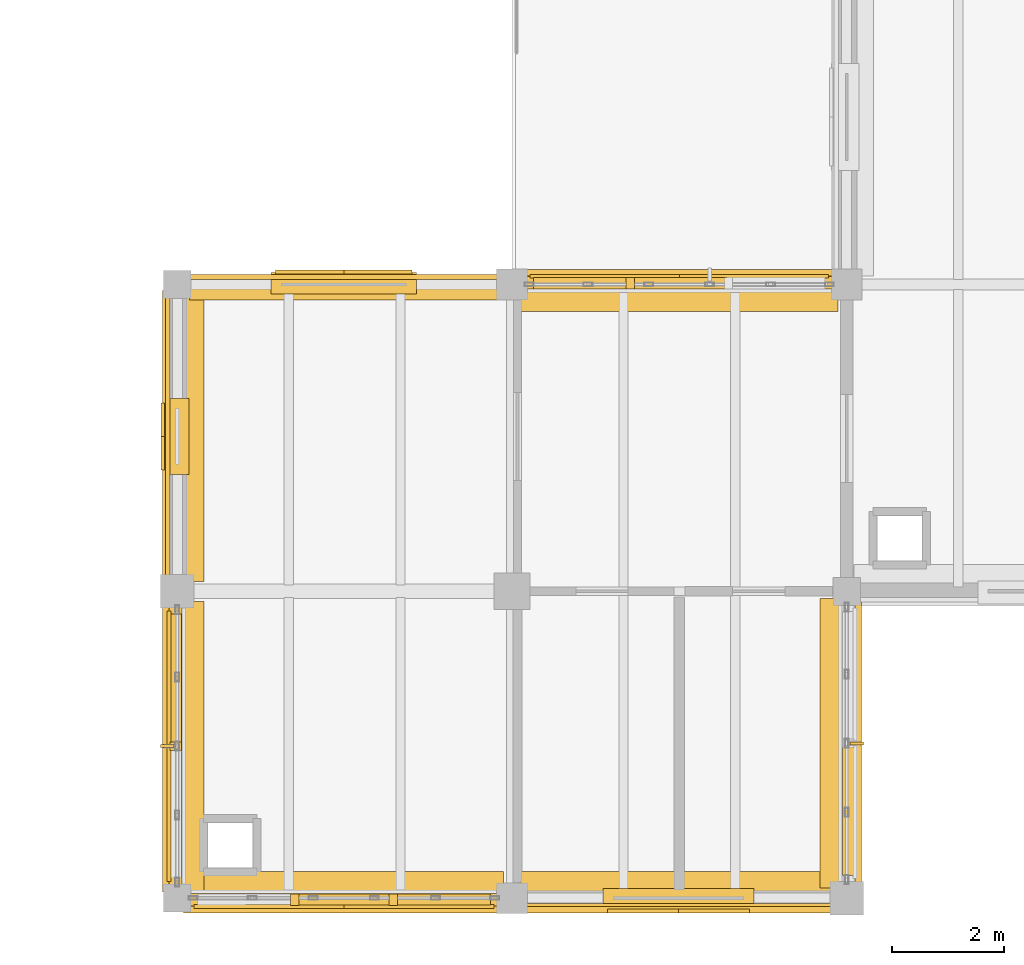
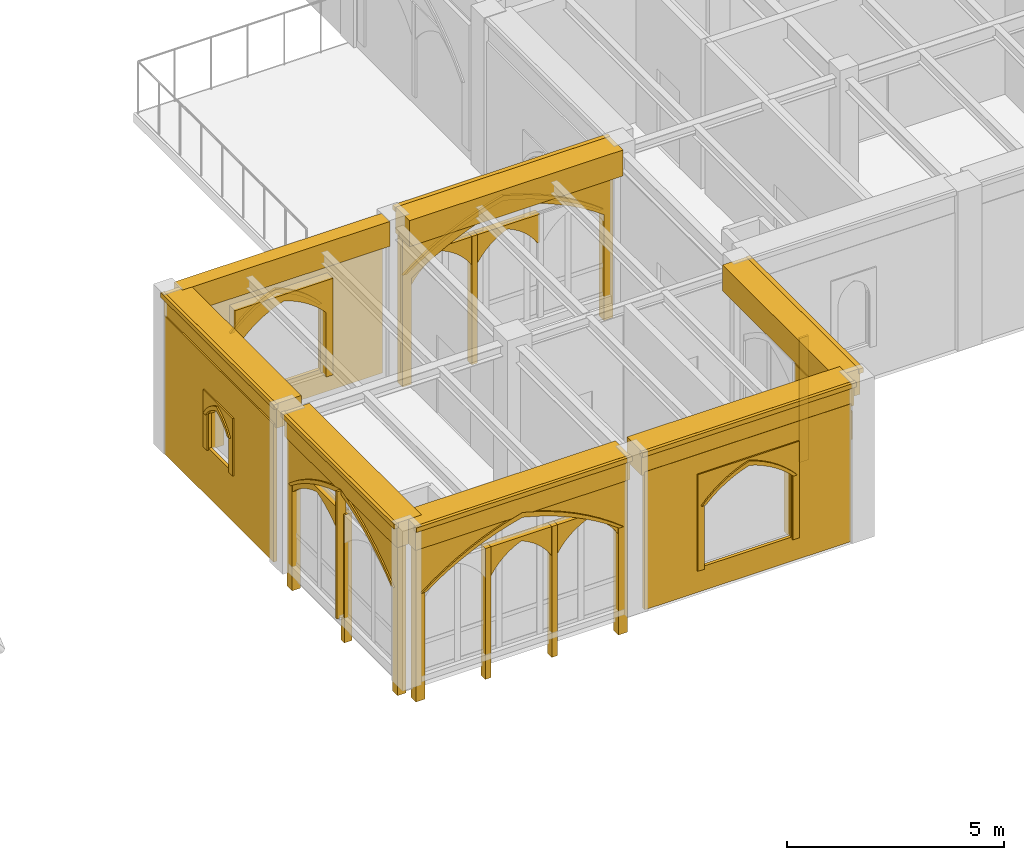
# One storey, part 110 of 127: 38 coverings, 2 shading devices.
"""IFC4 building model written with IfcOpenShell, lengths in metres."""

import ifcopenshell
import ifcopenshell.guid

model = None  # the IFC model being written
_history = None  # IfcOwnerHistory: only IFC2X3 demands one
_inside = {}  # id of a spatial element -> (the spatial element, [elements in it])
_under = {}  # id of a project, library or spatial element -> (it, [spatial elements below it])
_declared = {}  # id of a project -> (the project, [libraries it declares])
_typed = {}  # id of a type object -> (the type object, [elements of that type])
_made_of = {}  # id of a material, layer set ... -> (it, [elements and type objects made of it])


def new_model(schema):
    """Start an empty IFC model of exactly this schema.

    Asked for "IFC4X3", IfcOpenShell would pick the latest addendum, in which some entities
    have other attributes; the version numbers below select the first issue.
    IFC2X3 requires an IfcOwnerHistory on every rooted entity: one is made here for all.
    """
    global model, _history
    if schema == "IFC4X3":
        model = ifcopenshell.file(schema_version=(4, 3, 0, 0))
    else:
        model = ifcopenshell.file(schema=schema)
    _inside.clear()
    _under.clear()
    _declared.clear()
    _typed.clear()
    _made_of.clear()
    _history = None
    if model.schema == "IFC2X3":
        org = make("IfcOrganization", Name="unknown")
        user = make(
            "IfcPersonAndOrganization",
            ThePerson=make("IfcPerson", FamilyName="unknown"),
            TheOrganization=org,
        )
        app = make(
            "IfcApplication",
            ApplicationDeveloper=org,
            Version="unknown",
            ApplicationFullName="unknown",
            ApplicationIdentifier="unknown",
        )
        _history = make(
            "IfcOwnerHistory",
            OwningUser=user,
            OwningApplication=app,
            ChangeAction="ADDED",
            CreationDate=0,
        )
    return model


def make(cls, **values):
    """One entity of the class cls with the attributes given. An attribute that is None is left unset."""
    return model.create_entity(
        cls, **{name: value for name, value in values.items() if value is not None}
    )


def rooted(cls, **values):
    """An entity with a GlobalId (a new one), such as an element, a storey or a relation."""
    return make(cls, GlobalId=ifcopenshell.guid.new(), OwnerHistory=_history, **values)


def si_unit(unit_type, name, prefix=None):
    """IfcSIUnit, for example si_unit("LENGTHUNIT", "METRE", prefix="MILLI")."""
    return make("IfcSIUnit", UnitType=unit_type, Prefix=prefix, Name=name)


def assignment(units):
    """IfcUnitAssignment: the units of a project."""
    return None if units is None else make("IfcUnitAssignment", Units=units)


def point(xyz):
    """IfcCartesianPoint."""
    return None if xyz is None else make("IfcCartesianPoint", Coordinates=xyz)


def direction(xyz):
    """IfcDirection."""
    return None if xyz is None else make("IfcDirection", DirectionRatios=xyz)


def frame(location, z_axis=None, x_axis=None):
    """IfcAxis2Placement3D, a coordinate frame: its origin and axes. An axis left out is left unset."""
    return make(
        "IfcAxis2Placement3D",
        Location=point(location),
        Axis=direction(z_axis),
        RefDirection=direction(x_axis),
    )


def frame_2d(location, x_axis=None):
    """IfcAxis2Placement2D, a coordinate frame in the plane: its origin and x axis."""
    return make(
        "IfcAxis2Placement2D", Location=point(location), RefDirection=direction(x_axis)
    )


def origin():
    """The frame at (0, 0, 0) with its axes left unset."""
    return frame((0.0, 0.0, 0.0))


def origin_2d():
    """The frame at (0, 0) in the plane with its x axis left unset."""
    return frame_2d((0.0, 0.0))


def place(relative_to, where):
    """IfcLocalPlacement: puts the frame where relative to a parent placement (None: the world)."""
    return make(
        "IfcLocalPlacement", PlacementRelTo=relative_to, RelativePlacement=where
    )


def context(
    kind, dimensions, precision=None, world=None, true_north=None, identifier=None
):
    """IfcGeometricRepresentationContext, for example the 3D "Model" context."""
    return make(
        "IfcGeometricRepresentationContext",
        ContextIdentifier=identifier,
        ContextType=kind,
        CoordinateSpaceDimension=dimensions,
        Precision=precision,
        WorldCoordinateSystem=world,
        TrueNorth=true_north,
    )


def subcontext(parent, identifier, kind, view, scale=None):
    """IfcGeometricRepresentationSubContext, for example "Body" below "Model"."""
    return make(
        "IfcGeometricRepresentationSubContext",
        ContextIdentifier=identifier,
        ContextType=kind,
        ParentContext=parent,
        TargetScale=scale,
        TargetView=view,
    )


def project(units=None, contexts=None):
    """IfcProject with its units and contexts."""
    return rooted(
        "IfcProject",
        Name="project",
        RepresentationContexts=contexts,
        UnitsInContext=assignment(units),
    )


def spatial(cls, under=None, at=None, **own):
    """A site, building, storey or space (cls), placed at a placement, below another one or the project."""
    s = rooted(cls, ObjectPlacement=at, **own)
    if under is not None:
        _under.setdefault(under.id(), (under, []))[1].append(s)
    return s


def polyline(points):
    """IfcPolyline through the points."""
    return make("IfcPolyline", Points=[point(p) for p in points])


def profile(cls, at=None, kind="AREA", **sizes):
    """A parametric profile (cls). Its sizes go by their IFC names, for example OverallWidth=200.0."""
    return make(cls, ProfileType=kind, Position=at, **sizes)


def rectangle(**sizes):
    """IfcRectangleProfileDef."""
    return profile("IfcRectangleProfileDef", **sizes)


def outline(outer, holes=None, kind="AREA"):
    """IfcArbitraryClosedProfileDef: a profile drawn as a closed curve; with holes, ...WithVoids."""
    if holes is None:
        return make("IfcArbitraryClosedProfileDef", ProfileType=kind, OuterCurve=outer)
    return make(
        "IfcArbitraryProfileDefWithVoids",
        ProfileType=kind,
        OuterCurve=outer,
        InnerCurves=holes,
    )


def extrude(swept, where, along, depth):
    """IfcExtrudedAreaSolid: the profile swept, set in the frame where, extruded along a direction by depth."""
    return make(
        "IfcExtrudedAreaSolid",
        SweptArea=swept,
        Position=where,
        ExtrudedDirection=direction(along),
        Depth=depth,
    )


def shape(context_of_items, identifier, shape_type, items):
    """IfcShapeRepresentation: the items that make up one representation, for example the "Body"."""
    return make(
        "IfcShapeRepresentation",
        ContextOfItems=context_of_items,
        RepresentationIdentifier=identifier,
        RepresentationType=shape_type,
        Items=items,
    )


def material(Name=None, Category=None):
    """IfcMaterial."""
    return make("IfcMaterial", Name=Name, Category=Category)


def made_of(thing, what):
    """Note that an element or type object is made of a material, layer set ...; save() writes the relation."""
    if what is not None:
        _made_of.setdefault(what.id(), (what, []))[1].append(thing)
    return thing


def type_object(cls, material=None, **own):
    """A type object (cls), such as IfcWallType, which elements share."""
    return made_of(rooted(cls, **own), material)


def element(
    cls,
    number,
    at=None,
    inside=None,
    cuts=None,
    type_object=None,
    material=None,
    context=None,
    identifier="Body",
    shape_type=None,
    held_by="IfcProductDefinitionShape",
    body=None,
    shapes=None,
    **own,
):
    """One element of the class cls, such as IfcWall. Its Tag is "e" and its number.

    at: its placement. inside: the storey or other place that contains it. cuts: it is an
    opening in that element (IfcRelVoidsElement). A single representation is given by context,
    identifier, shape_type and body (its items); several are given by shapes. held_by: the class
    of the entity that holds the representations. save() writes the other relations.
    """
    e = rooted(cls, Tag="e%d" % number, ObjectPlacement=at, **own)
    if body is not None:
        shapes = [shape(context, identifier, shape_type, body)]
    if shapes is not None:
        e.Representation = make(held_by, Representations=shapes)
    if inside is not None:
        _inside.setdefault(inside.id(), (inside, []))[1].append(e)
    if cuts is not None:
        rooted(
            "IfcRelVoidsElement", RelatingBuildingElement=cuts, RelatedOpeningElement=e
        )
    if type_object is not None:
        _typed.setdefault(type_object.id(), (type_object, []))[1].append(e)
    return made_of(e, material)


def aggregate(whole, parts):
    """IfcRelAggregates: a whole, such as a stair, and the parts it consists of."""
    return rooted("IfcRelAggregates", RelatingObject=whole, RelatedObjects=parts)


def save(model, path):
    """Write the relations noted so far, then the file.

    IfcRelAggregates (storeys below a building ...), IfcRelContainedInSpatialStructure (elements
    in a storey), IfcRelDefinesByType, IfcRelAssociatesMaterial and IfcRelDeclares: one each for
    every whole, place, type object, material and project.
    """
    for whole, parts in _under.values():
        aggregate(whole, parts)
    for where, things in _inside.values():
        rooted(
            "IfcRelContainedInSpatialStructure",
            RelatedElements=things,
            RelatingStructure=where,
        )
    for kind, things in _typed.values():
        rooted("IfcRelDefinesByType", RelatedObjects=things, RelatingType=kind)
    for what, things in _made_of.values():
        rooted("IfcRelAssociatesMaterial", RelatedObjects=things, RelatingMaterial=what)
    for by, libraries in _declared.values():
        rooted("IfcRelDeclares", RelatingContext=by, RelatedDefinitions=libraries)
    model.write(path)


model = new_model("IFC4")

# Units and contexts
model_context = context("Model", 3, precision=1e-05, world=origin(), true_north=direction((0.0, 1.0)))
body_context = subcontext(model_context, "Body", "Model", "MODEL_VIEW")
ifc_project = project(units=[si_unit("LENGTHUNIT", "METRE"), si_unit("AREAUNIT", "SQUARE_METRE"), si_unit("VOLUMEUNIT", "CUBIC_METRE"), si_unit("PLANEANGLEUNIT", "RADIAN"), si_unit("MASSUNIT", "GRAM", prefix="KILO")], contexts=[model_context])

# Site, building, storey
site_placement = place(None, origin())
site = spatial("IfcSite", under=ifc_project, at=site_placement, CompositionType="ELEMENT")
building_placement = place(site_placement, origin())
building = spatial("IfcBuilding", under=site, at=building_placement, Name="Cumevento Cable Car Station", CompositionType="ELEMENT")
storey_placement = place(building_placement, frame((0.0, 0.0, 4.5)))
storey = spatial("IfcBuildingStorey", under=building, at=storey_placement, Name="L02", CompositionType="ELEMENT", Elevation=4.5)

# Shading devices
ifc_material_1 = material(Name="Anodised Bronze Aluminium AW-6063-T6", Category="aluminium")
shading_device_type = type_object("IfcShadingDeviceType", Name="Bronze Lancet Brise-Soleil BS-01", PredefinedType="JALOUSIE", material=ifc_material_1)
shading_device_1_placement = place(storey_placement, frame((105.820068359375, 6.72509765625, 0.260009765625), z_axis=(0.0, 0.0, 1.0), x_axis=(0.0, 1.0, 0.0)))
element("IfcShadingDevice", 1, at=shading_device_1_placement, inside=storey, type_object=shading_device_type, Name="Bronze Lancet Solar Fin #21", PredefinedType="JALOUSIE", context=body_context, shape_type="SweptSolid", body=[
    extrude(rectangle(XDim=0.054931640625, YDim=0.239990234375, at=origin_2d()), origin(), (0.0, 0.0, 1.0), 3.5830078125),
])
shading_device_2_placement = place(storey_placement, frame((118.179931640625, 6.77490234375, 0.31005859375), z_axis=(0.0, 0.0, 1.0), x_axis=(0.0, -1.0, 0.0)))
element("IfcShadingDevice", 2, at=shading_device_2_placement, inside=storey, type_object=shading_device_type, Name="Bronze Lancet Solar Fin #22", PredefinedType="JALOUSIE", context=body_context, shape_type="SweptSolid", body=[
    extrude(rectangle(XDim=0.054931640625, YDim=0.239990234375, at=origin_2d()), origin(), (0.0, 0.0, 1.0), 3.4990234375),
])

# Coverings
ifc_material_2 = material(Name="Gnaisse Facoidal Stone Ashlar 85 MPa", Category="masonry")
covering_type = type_object("IfcCoveringType", Name="Gnaisse Ashlar Cladding CV-CL01", PredefinedType="CLADDING", material=ifc_material_2)
covering_1_placement = place(storey_placement, frame((108.987548828125, 4.14990234375, 3.783203125), z_axis=(0.0, 0.0, 1.0), x_axis=(-1.0, 0.0, 0.0)))
element("IfcCovering", 3, at=covering_1_placement, inside=storey, type_object=covering_type, Name="Gothic Stone Spandrel Stringcourse sc:0312", PredefinedType="CLADDING", context=body_context, shape_type="SweptSolid", body=[
    extrude(rectangle(XDim=5.715087890625, YDim=0.659912109375, at=origin_2d()), origin(), (0.0, 0.0, 1.0), 0.697021484375),
])
covering_2_placement = place(storey_placement, frame((108.987548828125, 3.79248046875, 4.35009765625), z_axis=(0.0, 0.0, 1.0), x_axis=(-1.0, 0.0, 0.0)))
element("IfcCovering", 4, at=covering_2_placement, inside=storey, type_object=covering_type, Name="Gothic Cornice Dripstone Lip sc:0312", PredefinedType="CLADDING", context=body_context, shape_type="SweptSolid", body=[
    extrude(rectangle(XDim=5.7548828125, YDim=0.114990234375, at=origin_2d()), origin(), (0.0, 0.0, 1.0), 0.1298828125),
])
covering_3_placement = place(storey_placement, frame((114.987548828125, 4.14990234375, 3.783203125), z_axis=(0.0, 0.0, 1.0), x_axis=(-1.0, 0.0, 0.0)))
element("IfcCovering", 5, at=covering_3_placement, inside=storey, type_object=covering_type, Name="Gothic Stone Spandrel Stringcourse sc:0313", PredefinedType="CLADDING", context=body_context, shape_type="SweptSolid", body=[
    extrude(rectangle(XDim=5.6650390625, YDim=0.659912109375, at=origin_2d()), origin(), (0.0, 0.0, 1.0), 0.697021484375),
])
covering_4_placement = place(storey_placement, frame((114.987548828125, 3.79248046875, 4.35009765625), z_axis=(0.0, 0.0, 1.0), x_axis=(-1.0, 0.0, 0.0)))
element("IfcCovering", 6, at=covering_4_placement, inside=storey, type_object=covering_type, Name="Gothic Cornice Dripstone Lip sc:0313", PredefinedType="CLADDING", context=body_context, shape_type="SweptSolid", body=[
    extrude(rectangle(XDim=5.705078125, YDim=0.114990234375, at=origin_2d()), origin(), (0.0, 0.0, 1.0), 0.1298828125),
])
covering_5_placement = place(storey_placement, frame((108.987548828125, 14.909912109375, 3.783203125), z_axis=(0.0, 0.0, 1.0), x_axis=(1.0, 0.0, 0.0)))
element("IfcCovering", 7, at=covering_5_placement, inside=storey, type_object=covering_type, Name="Gothic Stone Spandrel Stringcourse sc:0314", PredefinedType="CLADDING", context=body_context, shape_type="SweptSolid", body=[
    extrude(rectangle(XDim=5.534912109375, YDim=0.3798828125, at=origin_2d()), origin(), (0.0, 0.0, 1.0), 0.697021484375),
])
covering_6_placement = place(storey_placement, frame((115.0, 14.85009765625, 3.7490234375), z_axis=(0.0, 0.0, 1.0), x_axis=(1.0, 0.0, 0.0)))
element("IfcCovering", 8, at=covering_6_placement, inside=storey, type_object=covering_type, Name="Gothic Stone Spandrel Stringcourse sc:0315", PredefinedType="CLADDING", context=body_context, shape_type="SweptSolid", body=[
    extrude(rectangle(XDim=5.68994140625, YDim=0.659912109375, at=origin_2d()), origin(), (0.0, 0.0, 1.0), 0.73095703125),
])
covering_7_placement = place(storey_placement, frame((115.0, 15.20751953125, 4.35009765625), z_axis=(0.0, 0.0, 1.0), x_axis=(1.0, 0.0, 0.0)))
element("IfcCovering", 9, at=covering_7_placement, inside=storey, type_object=covering_type, Name="Gothic Cornice Dripstone Lip sc:0315", PredefinedType="CLADDING", context=body_context, shape_type="SweptSolid", body=[
    extrude(rectangle(XDim=5.72998046875, YDim=0.114990234375, at=origin_2d()), origin(), (0.0, 0.0, 1.0), 0.1298828125),
])
covering_8_placement = place(storey_placement, frame((106.14990234375, 6.72509765625, 3.783203125), z_axis=(0.0, 0.0, 1.0), x_axis=(0.0, 1.0, 0.0)))
element("IfcCovering", 10, at=covering_8_placement, inside=storey, type_object=covering_type, Name="Gothic Stone Spandrel Stringcourse sc:0316", PredefinedType="CLADDING", context=body_context, shape_type="SweptSolid", body=[
    extrude(rectangle(XDim=5.18994140625, YDim=0.659912109375, at=origin_2d()), origin(), (0.0, 0.0, 1.0), 0.697021484375),
])
covering_9_placement = place(storey_placement, frame((105.79248046875, 6.72509765625, 4.35009765625), z_axis=(0.0, 0.0, 1.0), x_axis=(0.0, 1.0, 0.0)))
element("IfcCovering", 11, at=covering_9_placement, inside=storey, type_object=covering_type, Name="Gothic Cornice Dripstone Lip sc:0316", PredefinedType="CLADDING", context=body_context, shape_type="SweptSolid", body=[
    extrude(rectangle(XDim=5.22998046875, YDim=0.114990234375, at=origin_2d()), origin(), (0.0, 0.0, 1.0), 0.1298828125),
])
covering_10_placement = place(storey_placement, frame((106.14990234375, 12.27490234375, 3.783203125), z_axis=(0.0, 0.0, 1.0), x_axis=(0.0, 1.0, 0.0)))
element("IfcCovering", 12, at=covering_10_placement, inside=storey, type_object=covering_type, Name="Gothic Stone Spandrel Stringcourse sc:0317", PredefinedType="CLADDING", context=body_context, shape_type="SweptSolid", body=[
    extrude(rectangle(XDim=5.18994140625, YDim=0.659912109375, at=origin_2d()), origin(), (0.0, 0.0, 1.0), 0.697021484375),
])
covering_11_placement = place(storey_placement, frame((105.79248046875, 12.27490234375, 4.35009765625), z_axis=(0.0, 0.0, 1.0), x_axis=(0.0, 1.0, 0.0)))
element("IfcCovering", 13, at=covering_11_placement, inside=storey, type_object=covering_type, Name="Gothic Cornice Dripstone Lip sc:0317", PredefinedType="CLADDING", context=body_context, shape_type="SweptSolid", body=[
    extrude(rectangle(XDim=5.22998046875, YDim=0.114990234375, at=origin_2d()), origin(), (0.0, 0.0, 1.0), 0.1298828125),
])
covering_12_placement = place(storey_placement, frame((117.85009765625, 6.77490234375, 3.7490234375), z_axis=(0.0, 0.0, 1.0), x_axis=(0.0, -1.0, 0.0)))
element("IfcCovering", 14, at=covering_12_placement, inside=storey, type_object=covering_type, Name="Gothic Stone Spandrel Stringcourse sc:0318", PredefinedType="CLADDING", context=body_context, shape_type="SweptSolid", body=[
    extrude(rectangle(XDim=5.18994140625, YDim=0.659912109375, at=origin_2d()), origin(), (0.0, 0.0, 1.0), 0.73095703125),
])
covering_13_placement = place(storey_placement, frame((118.20751953125, 6.77490234375, 4.35009765625), z_axis=(0.0, 0.0, 1.0), x_axis=(0.0, -1.0, 0.0)))
element("IfcCovering", 15, at=covering_13_placement, inside=storey, type_object=covering_type, Name="Gothic Cornice Dripstone Lip sc:0318", PredefinedType="CLADDING", context=body_context, shape_type="SweptSolid", body=[
    extrude(rectangle(XDim=5.22998046875, YDim=0.114990234375, at=origin_2d()), origin(), (0.0, 0.0, 1.0), 0.1298828125),
])
placement_1 = place(storey_placement, frame((111.72509765625, 4.0, -0.52001953125), z_axis=(0.0, 0.0, 1.0), x_axis=(-1.0, 0.0, 0.0)))
element("IfcCovering", 16, at=placement_1, inside=storey, type_object=covering_type, Name="Gothic Ogival Pointed-Arch Stone Spandrel cw_ogival:0032", PredefinedType="CLADDING", context=body_context, shape_type="SweptSolid", body=[
    extrude(outline(polyline([(-0.080078125, 0.0), (-0.080078125, 4.443115234375), (5.554931640625, 4.443115234375), (5.554931640625, 0.0), (5.31494140625, 0.0), (5.31494140625, 3.037109375), (5.0224609375, 3.243408203125), (4.7197265625, 3.4345703125), (4.40771484375, 3.6103515625), (4.087158203125, 3.770263671875), (3.75927734375, 3.913818359375), (3.42431640625, 4.04052734375), (3.08349609375, 4.150390625), (2.737548828125, 4.242919921875), (2.3916015625, 4.150390625), (2.05078125, 4.04052734375), (1.7158203125, 3.913818359375), (1.387939453125, 3.770263671875), (1.0673828125, 3.6103515625), (0.75537109375, 3.4345703125), (0.45263671875, 3.243408203125), (0.159912109375, 3.037109375), (0.159912109375, 0.0), (-0.080078125, 0.0)])), frame((0.0, 0.139892578125, 0.0), z_axis=(0.0, -1.0, 0.0), x_axis=(1.0, 0.0, 0.0)), (0.0, 0.0, 1.0), 0.219970703125),
])
covering_15_placement = place(storey_placement, frame((111.72509765625, 4.0, 2.51708984375), z_axis=(0.0, 0.0, 1.0), x_axis=(-1.0, 0.0, 0.0)))
element("IfcCovering", 17, at=covering_15_placement, inside=storey, type_object=covering_type, Name="Gothic Pointed Archivolt Hood Moulding cw_ogival:0032", PredefinedType="CLADDING", context=body_context, shape_type="SweptSolid", body=[
    extrude(outline(polyline([(0.159912109375, 0.0), (0.45263671875, 0.206298828125), (0.75537109375, 0.3974609375), (1.0673828125, 0.5732421875), (1.387939453125, 0.733154296875), (1.7158203125, 0.876708984375), (2.05078125, 1.00341796875), (2.3916015625, 1.11328125), (2.737548828125, 1.205810546875), (3.08349609375, 1.11328125), (3.42431640625, 1.00341796875), (3.75927734375, 0.876708984375), (4.087158203125, 0.733154296875), (4.40771484375, 0.5732421875), (4.7197265625, 0.3974609375), (5.0224609375, 0.206298828125), (5.31494140625, 0.0), (5.425048828125, 0.0), (5.123779296875, 0.22900390625), (4.81103515625, 0.441650390625), (4.487060546875, 0.637451171875), (4.1533203125, 0.8154296875), (3.810302734375, 0.9755859375), (3.45947265625, 1.1171875), (3.1015625, 1.239990234375), (2.737548828125, 1.343505859375), (2.37353515625, 1.239990234375), (2.015625, 1.1171875), (1.664794921875, 0.9755859375), (1.32177734375, 0.8154296875), (0.988037109375, 0.637451171875), (0.6640625, 0.441650390625), (0.351318359375, 0.22900390625), (0.050048828125, 0.0), (0.159912109375, 0.0)])), frame((0.0, 0.181884765625, 0.0), z_axis=(0.0, -1.0, 0.0), x_axis=(1.0, 0.0, 0.0)), (0.0, 0.0, 1.0), 0.06689453125),
])
element("IfcCovering", 18, at=placement_1, inside=storey, type_object=covering_type, Name="Gothic Bifora Stone Colonnette cw_ogival:0032 #1", PredefinedType="CLADDING", context=body_context, shape_type="SweptSolid", body=[
    extrude(outline(polyline([(1.7783203125, -0.02001953125), (1.92822265625, -0.02001953125), (1.92822265625, 3.664306640625), (1.7783203125, 3.664306640625), (1.7783203125, -0.02001953125)])), frame((0.0, 0.1279296875, 0.0), z_axis=(0.0, -1.0, 0.0), x_axis=(1.0, 0.0, 0.0)), (0.0, 0.0, 1.0), 0.205078125),
])
element("IfcCovering", 19, at=placement_1, inside=storey, type_object=covering_type, Name="Gothic Bifora Stone Colonnette cw_ogival:0032 #2", PredefinedType="CLADDING", context=body_context, shape_type="SweptSolid", body=[
    extrude(outline(polyline([(3.546630859375, -0.02001953125), (3.69677734375, -0.02001953125), (3.69677734375, 3.664306640625), (3.546630859375, 3.664306640625), (3.546630859375, -0.02001953125)])), frame((0.0, 0.1279296875, 0.0), z_axis=(0.0, -1.0, 0.0), x_axis=(1.0, 0.0, 0.0)), (0.0, 0.0, 1.0), 0.205078125),
])
for number, where, z_axis, x_axis, name in (
    (20, (111.594970703125, 4.0, 2.337158203125), (0.0, 0.0, 1.0), (-1.0, 0.0, 0.0), "Gothic Ogival Pointed-Arch Stone Spandrel cw_ogival:0032:sub:0"),
    (21, (109.82666015625, 4.0, 2.337158203125), (0.0, 0.0, 1.0), (-1.0, 0.0, 0.0), "Gothic Ogival Pointed-Arch Stone Spandrel cw_ogival:0032:sub:1"),
):
    element("IfcCovering", number, at=place(storey_placement, frame(where, z_axis=z_axis, x_axis=x_axis)), inside=storey, type_object=covering_type, Name=name, PredefinedType="CLADDING", context=body_context, shape_type="SweptSolid", body=[
        extrude(outline(polyline([(-0.02001953125, 0.0), (-0.02001953125, 0.80712890625), (1.6982421875, 0.80712890625), (1.6982421875, 0.0), (1.638427734375, 0.0), (1.5390625, 0.148681640625), (1.42431640625, 0.28564453125), (1.295166015625, 0.409423828125), (1.153564453125, 0.518310546875), (1.0009765625, 0.611328125), (0.839111328125, 0.68701171875), (0.67724609375, 0.611328125), (0.524658203125, 0.518310546875), (0.383056640625, 0.409423828125), (0.25390625, 0.28564453125), (0.13916015625, 0.148681640625), (0.0400390625, 0.0), (-0.02001953125, 0.0)])), frame((0.0, 0.1240234375, 0.0), z_axis=(0.0, -1.0, 0.0), x_axis=(1.0, 0.0, 0.0)), (0.0, 0.0, 1.0), 0.199951171875),
    ])
placement_2 = place(storey_placement, frame((112.27490234375, 15.0, -0.469970703125), z_axis=(0.0, 0.0, 1.0), x_axis=(1.0, 0.0, 0.0)))
element("IfcCovering", 22, at=placement_2, inside=storey, type_object=covering_type, Name="Gothic Ogival Pointed-Arch Stone Spandrel cw_ogival:0033", PredefinedType="CLADDING", context=body_context, shape_type="SweptSolid", body=[
    extrude(outline(polyline([(-0.080078125, 0.0), (-0.080078125, 4.35888671875), (5.530029296875, 4.35888671875), (5.530029296875, 0.0), (5.2900390625, 0.0), (5.2900390625, 2.9833984375), (4.99755859375, 3.1845703125), (4.695556640625, 3.37109375), (4.384765625, 3.54248046875), (4.065673828125, 3.698486328125), (3.739501953125, 3.83837890625), (3.40673828125, 3.9619140625), (3.068359375, 4.06884765625), (2.72509765625, 4.158935546875), (2.381591796875, 4.06884765625), (2.043212890625, 3.9619140625), (1.71044921875, 3.83837890625), (1.38427734375, 3.698486328125), (1.065185546875, 3.54248046875), (0.75439453125, 3.37109375), (0.452392578125, 3.1845703125), (0.159912109375, 2.9833984375), (0.159912109375, 0.0), (-0.080078125, 0.0)])), frame((0.0, 0.139892578125, 0.0), z_axis=(0.0, -1.0, 0.0), x_axis=(1.0, 0.0, 0.0)), (0.0, 0.0, 1.0), 0.219970703125),
])
covering_19_placement = place(storey_placement, frame((112.27490234375, 15.0, 2.513427734375), z_axis=(0.0, 0.0, 1.0), x_axis=(1.0, 0.0, 0.0)))
element("IfcCovering", 23, at=covering_19_placement, inside=storey, type_object=covering_type, Name="Gothic Pointed Archivolt Hood Moulding cw_ogival:0033", PredefinedType="CLADDING", context=body_context, shape_type="SweptSolid", body=[
    extrude(outline(polyline([(0.159912109375, 0.0), (0.452392578125, 0.201171875), (0.75439453125, 0.3876953125), (1.065185546875, 0.55908203125), (1.38427734375, 0.715087890625), (1.71044921875, 0.85498046875), (2.043212890625, 0.978515625), (2.381591796875, 1.08544921875), (2.72509765625, 1.175537109375), (3.068359375, 1.08544921875), (3.40673828125, 0.978515625), (3.739501953125, 0.85498046875), (4.065673828125, 0.715087890625), (4.384765625, 0.55908203125), (4.695556640625, 0.3876953125), (4.99755859375, 0.201171875), (5.2900390625, 0.0), (5.39990234375, 0.0), (5.09912109375, 0.22412109375), (4.78662109375, 0.43212890625), (4.4638671875, 0.623291015625), (4.131591796875, 0.79736328125), (3.79052734375, 0.953857421875), (3.44189453125, 1.09228515625), (3.086181640625, 1.212158203125), (2.72509765625, 1.31298828125), (2.36376953125, 1.212158203125), (2.008056640625, 1.09228515625), (1.659423828125, 0.953857421875), (1.318359375, 0.79736328125), (0.986083984375, 0.623291015625), (0.663330078125, 0.43212890625), (0.350830078125, 0.22412109375), (0.050048828125, 0.0), (0.159912109375, 0.0)])), frame((0.0, 0.181884765625, 0.0), z_axis=(0.0, -1.0, 0.0), x_axis=(1.0, 0.0, 0.0)), (0.0, 0.0, 1.0), 0.06689453125),
])
element("IfcCovering", 24, at=placement_2, inside=storey, type_object=covering_type, Name="Gothic Bifora Stone Colonnette cw_ogival:0033 #1", PredefinedType="CLADDING", context=body_context, shape_type="SweptSolid", body=[
    extrude(outline(polyline([(1.77001953125, -0.02001953125), (1.919921875, -0.02001953125), (1.919921875, 3.5947265625), (1.77001953125, 3.5947265625), (1.77001953125, -0.02001953125)])), frame((0.0, 0.1279296875, 0.0), z_axis=(0.0, -1.0, 0.0), x_axis=(1.0, 0.0, 0.0)), (0.0, 0.0, 1.0), 0.205078125),
])
for number, where, z_axis, x_axis, name in (
    (25, (112.405029296875, 15.0, 2.33349609375), (0.0, 0.0, 1.0), (1.0, 0.0, 0.0), "Gothic Ogival Pointed-Arch Stone Spandrel cw_ogival:0033:sub:0"),
    (26, (114.1650390625, 15.0, 2.33349609375), (0.0, 0.0, 1.0), (1.0, 0.0, 0.0), "Gothic Ogival Pointed-Arch Stone Spandrel cw_ogival:0033:sub:1"),
):
    element("IfcCovering", number, at=place(storey_placement, frame(where, z_axis=z_axis, x_axis=x_axis)), inside=storey, type_object=covering_type, Name=name, PredefinedType="CLADDING", context=body_context, shape_type="SweptSolid", body=[
        extrude(outline(polyline([(-0.02001953125, 0.0), (-0.02001953125, 0.791259765625), (1.68994140625, 0.791259765625), (1.68994140625, 0.0), (1.6298828125, 0.0), (1.5302734375, 0.1455078125), (1.41552734375, 0.279541015625), (1.287109375, 0.400390625), (1.146240234375, 0.506591796875), (0.9951171875, 0.597412109375), (0.8349609375, 0.67138671875), (0.6748046875, 0.597412109375), (0.523681640625, 0.506591796875), (0.3828125, 0.400390625), (0.25439453125, 0.279541015625), (0.1396484375, 0.1455078125), (0.0400390625, 0.0), (-0.02001953125, 0.0)])), frame((0.0, 0.1240234375, 0.0), z_axis=(0.0, -1.0, 0.0), x_axis=(1.0, 0.0, 0.0)), (0.0, 0.0, 1.0), 0.199951171875),
    ])
placement_3 = place(storey_placement, frame((106.0, 4.25, -0.419921875), z_axis=(0.0, 0.0, 1.0), x_axis=(0.0, 1.0, 0.0)))
element("IfcCovering", 27, at=placement_3, inside=storey, type_object=covering_type, Name="Gothic Ogival Pointed-Arch Stone Spandrel cw_ogival:0034", PredefinedType="CLADDING", context=body_context, shape_type="SweptSolid", body=[
    extrude(outline(polyline([(-0.080078125, 0.0), (-0.080078125, 4.343017578125), (5.030029296875, 4.343017578125), (5.030029296875, 0.0), (4.7900390625, 0.0), (4.7900390625, 2.97314453125), (4.531005859375, 3.172607421875), (4.261962890625, 3.357666015625), (3.983154296875, 3.528076171875), (3.695556640625, 3.68310546875), (3.400146484375, 3.822509765625), (3.09765625, 3.946044921875), (2.7890625, 4.052978515625), (2.47509765625, 4.14306640625), (2.160888671875, 4.052978515625), (1.852294921875, 3.946044921875), (1.5498046875, 3.822509765625), (1.25439453125, 3.68310546875), (0.966796875, 3.528076171875), (0.68798828125, 3.357666015625), (0.4189453125, 3.172607421875), (0.159912109375, 2.97314453125), (0.159912109375, 0.0), (-0.080078125, 0.0)])), frame((0.0, 0.139892578125, 0.0), z_axis=(0.0, -1.0, 0.0), x_axis=(1.0, 0.0, 0.0)), (0.0, 0.0, 1.0), 0.219970703125),
])
covering_22_placement = place(storey_placement, frame((106.0, 4.25, 2.552978515625), z_axis=(0.0, 0.0, 1.0), x_axis=(0.0, 1.0, 0.0)))
element("IfcCovering", 28, at=covering_22_placement, inside=storey, type_object=covering_type, Name="Gothic Pointed Archivolt Hood Moulding cw_ogival:0034", PredefinedType="CLADDING", context=body_context, shape_type="SweptSolid", body=[
    extrude(outline(polyline([(0.159912109375, 0.0), (0.4189453125, 0.199462890625), (0.68798828125, 0.384521484375), (0.966796875, 0.554931640625), (1.25439453125, 0.7099609375), (1.5498046875, 0.849365234375), (1.852294921875, 0.972900390625), (2.160888671875, 1.079833984375), (2.47509765625, 1.169921875), (2.7890625, 1.079833984375), (3.09765625, 0.972900390625), (3.400146484375, 0.849365234375), (3.695556640625, 0.7099609375), (3.983154296875, 0.554931640625), (4.261962890625, 0.384521484375), (4.531005859375, 0.199462890625), (4.7900390625, 0.0), (4.89990234375, 0.0), (4.6328125, 0.221923828125), (4.353515625, 0.428466796875), (4.06298828125, 0.61865234375), (3.76220703125, 0.792236328125), (3.451904296875, 0.9482421875), (3.13330078125, 1.08642578125), (2.80712890625, 1.206298828125), (2.47509765625, 1.307373046875), (2.142822265625, 1.206298828125), (1.816650390625, 1.08642578125), (1.498046875, 0.9482421875), (1.187744140625, 0.792236328125), (0.886962890625, 0.61865234375), (0.596435546875, 0.428466796875), (0.317138671875, 0.221923828125), (0.050048828125, 0.0), (0.159912109375, 0.0)])), frame((0.0, 0.181884765625, 0.0), z_axis=(0.0, -1.0, 0.0), x_axis=(1.0, 0.0, 0.0)), (0.0, 0.0, 1.0), 0.06689453125),
])
element("IfcCovering", 29, at=placement_3, inside=storey, type_object=covering_type, Name="Gothic Bifora Stone Colonnette cw_ogival:0034 #1", PredefinedType="CLADDING", context=body_context, shape_type="SweptSolid", body=[
    extrude(outline(polyline([(2.39990234375, -0.02001953125), (2.550048828125, -0.02001953125), (2.550048828125, 3.581298828125), (2.39990234375, 3.581298828125), (2.39990234375, -0.02001953125)])), frame((0.0, 0.1279296875, 0.0), z_axis=(0.0, -1.0, 0.0), x_axis=(1.0, 0.0, 0.0)), (0.0, 0.0, 1.0), 0.205078125),
])
covering_24_placement = place(storey_placement, frame((106.0, 6.77001953125, 2.373046875), z_axis=(0.0, 0.0, 1.0), x_axis=(0.0, 1.0, 0.0)))
element("IfcCovering", 30, at=covering_24_placement, inside=storey, type_object=covering_type, Name="Gothic Ogival Pointed-Arch Stone Spandrel cw_ogival:0034:sub:1", PredefinedType="CLADDING", context=body_context, shape_type="SweptSolid", body=[
    extrude(outline(polyline([(-0.02001953125, 0.0), (-0.02001953125, 0.788330078125), (2.320068359375, 0.788330078125), (2.320068359375, 0.0), (2.260009765625, 0.0), (2.100341796875, 0.148681640625), (1.928955078125, 0.283447265625), (1.746826171875, 0.40380859375), (1.555419921875, 0.50830078125), (1.356201171875, 0.5966796875), (1.14990234375, 0.668212890625), (0.94384765625, 0.5966796875), (0.74462890625, 0.50830078125), (0.55322265625, 0.40380859375), (0.37109375, 0.283447265625), (0.19970703125, 0.148681640625), (0.0400390625, 0.0), (-0.02001953125, 0.0)])), frame((0.0, 0.1240234375, 0.0), z_axis=(0.0, -1.0, 0.0), x_axis=(1.0, 0.0, 0.0)), (0.0, 0.0, 1.0), 0.199951171875),
])
covering_25_placement = place(storey_placement, frame((118.0, 6.72998046875, 2.369384765625), z_axis=(0.0, 0.0, 1.0), x_axis=(0.0, -1.0, 0.0)))
element("IfcCovering", 31, at=covering_25_placement, inside=storey, type_object=covering_type, Name="Gothic Ogival Pointed-Arch Stone Spandrel cw_ogival:0035:sub:1", PredefinedType="CLADDING", context=body_context, shape_type="SweptSolid", body=[
    extrude(outline(polyline([(-0.02001953125, 0.0), (-0.02001953125, 0.772705078125), (2.320068359375, 0.772705078125), (2.320068359375, 0.0), (2.260009765625, 0.0), (2.099365234375, 0.145263671875), (1.92724609375, 0.277099609375), (1.7451171875, 0.39453125), (1.553955078125, 0.49658203125), (1.355224609375, 0.582763671875), (1.14990234375, 0.652587890625), (0.94482421875, 0.582763671875), (0.74609375, 0.49658203125), (0.554931640625, 0.39453125), (0.372802734375, 0.277099609375), (0.20068359375, 0.145263671875), (0.0400390625, 0.0), (-0.02001953125, 0.0)])), frame((0.0, 0.1240234375, 0.0), z_axis=(0.0, -1.0, 0.0), x_axis=(1.0, 0.0, 0.0)), (0.0, 0.0, 1.0), 0.199951171875),
])
covering_26_placement = place(storey_placement, frame((106.25, 15.0, 0.0), z_axis=(0.0, 0.0, 1.0), x_axis=(1.0, 0.0, 0.0)))
element("IfcCovering", 32, at=covering_26_placement, inside=storey, type_object=covering_type, Name="Exterior Gnaisse Stone Wall Ashlar #181", PredefinedType="CLADDING", context=body_context, shape_type="SweptSolid", body=[
    extrude(outline(polyline([(-0.0400390625, -0.02001953125), (5.514892578125, -0.02001953125), (5.514892578125, 3.863037109375), (-0.0400390625, 3.863037109375), (-0.0400390625, -0.02001953125)]), holes=[polyline([(1.62255859375, 0.659912109375), (3.8525390625, 0.659912109375), (3.8525390625, 3.090087890625), (1.62255859375, 3.090087890625), (1.62255859375, 0.659912109375)])]), frame((0.0, 0.177490234375, 0.0), z_axis=(0.0, -1.0, 0.0), x_axis=(1.0, 0.0, 0.0)), (0.0, 0.0, 1.0), 0.0849609375),
])
covering_27_placement = place(storey_placement, frame((107.722412109375, 15.0, 0.60009765625), z_axis=(0.0, 0.0, 1.0), x_axis=(1.0, 0.0, 0.0)))
element("IfcCovering", 33, at=covering_27_placement, inside=storey, type_object=covering_type, Name="Gothic Ogival Pointed-Arch Stone Spandrel op_ogival:0181:1", PredefinedType="CLADDING", context=body_context, shape_type="SweptSolid", body=[
    extrude(outline(polyline([(-0.0400390625, 0.0), (-0.0400390625, 2.719970703125), (2.570068359375, 2.719970703125), (2.570068359375, 0.0), (2.389892578125, 0.0), (2.389892578125, 1.820068359375), (2.254638671875, 1.957763671875), (2.109619140625, 2.084716796875), (1.955322265625, 2.20068359375), (1.792724609375, 2.3046875), (1.622802734375, 2.396240234375), (1.446533203125, 2.474853515625), (1.264892578125, 2.5400390625), (1.08349609375, 2.474853515625), (0.9072265625, 2.396240234375), (0.7373046875, 2.3046875), (0.57470703125, 2.20068359375), (0.42041015625, 2.084716796875), (0.275390625, 1.957763671875), (0.139892578125, 1.820068359375), (0.139892578125, 0.0), (-0.0400390625, 0.0)])), frame((0.0, 0.215576171875, 0.0), z_axis=(0.0, -1.0, 0.0), x_axis=(1.0, 0.0, 0.0)), (0.0, 0.0, 1.0), 0.385009765625),
])
covering_28_placement = place(storey_placement, frame((107.722412109375, 15.0, 2.419921875), z_axis=(0.0, 0.0, 1.0), x_axis=(1.0, 0.0, 0.0)))
element("IfcCovering", 34, at=covering_28_placement, inside=storey, type_object=covering_type, Name="Gothic Pointed Archivolt Hood Moulding op_ogival:0181:1", PredefinedType="CLADDING", context=body_context, shape_type="SweptSolid", body=[
    extrude(outline(polyline([(0.139892578125, 0.0), (0.275390625, 0.1376953125), (0.42041015625, 0.2646484375), (0.57470703125, 0.380615234375), (0.7373046875, 0.484619140625), (0.9072265625, 0.576171875), (1.08349609375, 0.65478515625), (1.264892578125, 0.719970703125), (1.446533203125, 0.65478515625), (1.622802734375, 0.576171875), (1.792724609375, 0.484619140625), (1.955322265625, 0.380615234375), (2.109619140625, 0.2646484375), (2.254638671875, 0.1376953125), (2.389892578125, 0.0), (2.489013671875, 0.0), (2.345703125, 0.160400390625), (2.190185546875, 0.308837890625), (2.023193359375, 0.444580078125), (1.84619140625, 0.566650390625), (1.659912109375, 0.67431640625), (1.4658203125, 0.766845703125), (1.264892578125, 0.84375), (1.064208984375, 0.766845703125), (0.8701171875, 0.67431640625), (0.683837890625, 0.566650390625), (0.5068359375, 0.444580078125), (0.33984375, 0.308837890625), (0.184326171875, 0.160400390625), (0.041015625, 0.0), (0.139892578125, 0.0)])), frame((0.0, 0.257568359375, 0.0), z_axis=(0.0, -1.0, 0.0), x_axis=(1.0, 0.0, 0.0)), (0.0, 0.0, 1.0), 0.06689453125),
])
covering_29_placement = place(storey_placement, frame((117.699951171875, 4.0, 0.0), z_axis=(0.0, 0.0, 1.0), x_axis=(-1.0, 0.0, 0.0)))
element("IfcCovering", 35, at=covering_29_placement, inside=storey, type_object=covering_type, Name="Exterior Gnaisse Stone Wall Ashlar #182", PredefinedType="CLADDING", context=body_context, shape_type="SweptSolid", body=[
    extrude(outline(polyline([(-0.0400390625, -0.02001953125), (5.465087890625, -0.02001953125), (5.465087890625, 3.863037109375), (-0.0400390625, 3.863037109375), (-0.0400390625, -0.02001953125)]), holes=[polyline([(1.547607421875, 0.659912109375), (3.87744140625, 0.659912109375), (3.87744140625, 3.090087890625), (1.547607421875, 3.090087890625), (1.547607421875, 0.659912109375)])]), frame((0.0, 0.18505859375, 0.0), z_axis=(0.0, -1.0, 0.0), x_axis=(1.0, 0.0, 0.0)), (0.0, 0.0, 1.0), 0.0849609375),
])
covering_30_placement = place(storey_placement, frame((116.302490234375, 4.0, 0.60009765625), z_axis=(0.0, 0.0, 1.0), x_axis=(-1.0, 0.0, 0.0)))
element("IfcCovering", 36, at=covering_30_placement, inside=storey, type_object=covering_type, Name="Gothic Ogival Pointed-Arch Stone Spandrel op_ogival:0182:1", PredefinedType="CLADDING", context=body_context, shape_type="SweptSolid", body=[
    extrude(outline(polyline([(-0.0400390625, 0.0), (-0.0400390625, 2.719970703125), (2.669921875, 2.719970703125), (2.669921875, 0.0), (2.489990234375, 0.0), (2.489990234375, 1.820068359375), (2.3466796875, 1.9580078125), (2.193603515625, 2.08544921875), (2.031982421875, 2.201171875), (1.8623046875, 2.30517578125), (1.685791015625, 2.396728515625), (1.5029296875, 2.47509765625), (1.31494140625, 2.5400390625), (1.126953125, 2.47509765625), (0.944091796875, 2.396728515625), (0.767578125, 2.30517578125), (0.597900390625, 2.201171875), (0.436279296875, 2.08544921875), (0.283203125, 1.9580078125), (0.139892578125, 1.820068359375), (0.139892578125, 0.0), (-0.0400390625, 0.0)])), frame((0.0, 0.222900390625, 0.0), z_axis=(0.0, -1.0, 0.0), x_axis=(1.0, 0.0, 0.0)), (0.0, 0.0, 1.0), 0.39990234375),
])
covering_31_placement = place(storey_placement, frame((116.302490234375, 4.0, 2.419921875), z_axis=(0.0, 0.0, 1.0), x_axis=(-1.0, 0.0, 0.0)))
element("IfcCovering", 37, at=covering_31_placement, inside=storey, type_object=covering_type, Name="Gothic Pointed Archivolt Hood Moulding op_ogival:0182:1", PredefinedType="CLADDING", context=body_context, shape_type="SweptSolid", body=[
    extrude(outline(polyline([(0.139892578125, 0.0), (0.283203125, 0.137939453125), (0.436279296875, 0.265380859375), (0.597900390625, 0.381103515625), (0.767578125, 0.485107421875), (0.944091796875, 0.57666015625), (1.126953125, 0.655029296875), (1.31494140625, 0.719970703125), (1.5029296875, 0.655029296875), (1.685791015625, 0.57666015625), (1.8623046875, 0.485107421875), (2.031982421875, 0.381103515625), (2.193603515625, 0.265380859375), (2.3466796875, 0.137939453125), (2.489990234375, 0.0), (2.589111328125, 0.0), (2.4375, 0.160888671875), (2.274169921875, 0.3095703125), (2.099853515625, 0.4453125), (1.915771484375, 0.5673828125), (1.72265625, 0.6748046875), (1.52197265625, 0.76708984375), (1.31494140625, 0.84375), (1.10791015625, 0.76708984375), (0.9072265625, 0.6748046875), (0.714111328125, 0.5673828125), (0.530029296875, 0.4453125), (0.355712890625, 0.3095703125), (0.1923828125, 0.160888671875), (0.041015625, 0.0), (0.139892578125, 0.0)])), frame((0.0, 0.264892578125, 0.0), z_axis=(0.0, -1.0, 0.0), x_axis=(1.0, 0.0, 0.0)), (0.0, 0.0, 1.0), 0.06689453125),
])
covering_32_placement = place(storey_placement, frame((106.0, 9.800048828125, 0.0), z_axis=(0.0, 0.0, 1.0), x_axis=(0.0, 1.0, 0.0)))
element("IfcCovering", 38, at=covering_32_placement, inside=storey, type_object=covering_type, Name="Exterior Gnaisse Stone Wall Ashlar #183", PredefinedType="CLADDING", context=body_context, shape_type="SweptSolid", body=[
    extrude(outline(polyline([(-0.0400390625, -0.02001953125), (4.989990234375, -0.02001953125), (4.989990234375, 3.863037109375), (-0.0400390625, 3.863037109375), (-0.0400390625, -0.02001953125)]), holes=[polyline([(1.985107421875, 1.360107421875), (2.965087890625, 1.360107421875), (2.965087890625, 2.68994140625), (1.985107421875, 2.68994140625), (1.985107421875, 1.360107421875)])]), frame((0.0, 0.215087890625, 0.0), z_axis=(0.0, -1.0, 0.0), x_axis=(1.0, 0.0, 0.0)), (0.0, 0.0, 1.0), 0.0849609375),
])
covering_33_placement = place(storey_placement, frame((106.0, 11.635009765625, 1.300048828125), z_axis=(0.0, 0.0, 1.0), x_axis=(0.0, 1.0, 0.0)))
element("IfcCovering", 39, at=covering_33_placement, inside=storey, type_object=covering_type, Name="Gothic Ogival Pointed-Arch Stone Spandrel op_ogival:0183:1", PredefinedType="CLADDING", context=body_context, shape_type="SweptSolid", body=[
    extrude(outline(polyline([(-0.0400390625, 0.0), (-0.0400390625, 1.6201171875), (1.320068359375, 1.6201171875), (1.320068359375, 0.0), (1.139892578125, 0.0), (1.139892578125, 1.02197265625), (1.086669921875, 1.10009765625), (1.026123046875, 1.173095703125), (0.95947265625, 1.240234375), (0.88671875, 1.30078125), (0.808837890625, 1.354736328125), (0.726318359375, 1.401123046875), (0.639892578125, 1.43994140625), (0.5537109375, 1.401123046875), (0.47119140625, 1.354736328125), (0.393310546875, 1.30078125), (0.320556640625, 1.240234375), (0.25390625, 1.173095703125), (0.193359375, 1.10009765625), (0.139892578125, 1.02197265625), (0.139892578125, 0.0), (-0.0400390625, 0.0)])), frame((0.0, 0.2529296875, 0.0), z_axis=(0.0, -1.0, 0.0), x_axis=(1.0, 0.0, 0.0)), (0.0, 0.0, 1.0), 0.4599609375),
])
covering_34_placement = place(storey_placement, frame((106.0, 11.635009765625, 2.322021484375), z_axis=(0.0, 0.0, 1.0), x_axis=(0.0, 1.0, 0.0)))
element("IfcCovering", 40, at=covering_34_placement, inside=storey, type_object=covering_type, Name="Gothic Pointed Archivolt Hood Moulding op_ogival:0183:1", PredefinedType="CLADDING", context=body_context, shape_type="SweptSolid", body=[
    extrude(outline(polyline([(0.139892578125, 0.0), (0.193359375, 0.078125), (0.25390625, 0.151123046875), (0.320556640625, 0.21826171875), (0.393310546875, 0.27880859375), (0.47119140625, 0.332763671875), (0.5537109375, 0.379150390625), (0.639892578125, 0.41796875), (0.726318359375, 0.379150390625), (0.808837890625, 0.332763671875), (0.88671875, 0.27880859375), (0.95947265625, 0.21826171875), (1.026123046875, 0.151123046875), (1.086669921875, 0.078125), (1.139892578125, 0.0), (1.239013671875, 0.0), (1.177978515625, 0.1005859375), (1.107666015625, 0.194580078125), (1.0283203125, 0.281494140625), (0.941162109375, 0.3603515625), (0.846923828125, 0.430419921875), (0.74609375, 0.4912109375), (0.639892578125, 0.541748046875), (0.533935546875, 0.4912109375), (0.43310546875, 0.430419921875), (0.3388671875, 0.3603515625), (0.251708984375, 0.281494140625), (0.17236328125, 0.194580078125), (0.10205078125, 0.1005859375), (0.041015625, 0.0), (0.139892578125, 0.0)])), frame((0.0, 0.294921875, 0.0), z_axis=(0.0, -1.0, 0.0), x_axis=(1.0, 0.0, 0.0)), (0.0, 0.0, 1.0), 0.06689453125),
])

save(model, "model.ifc")
